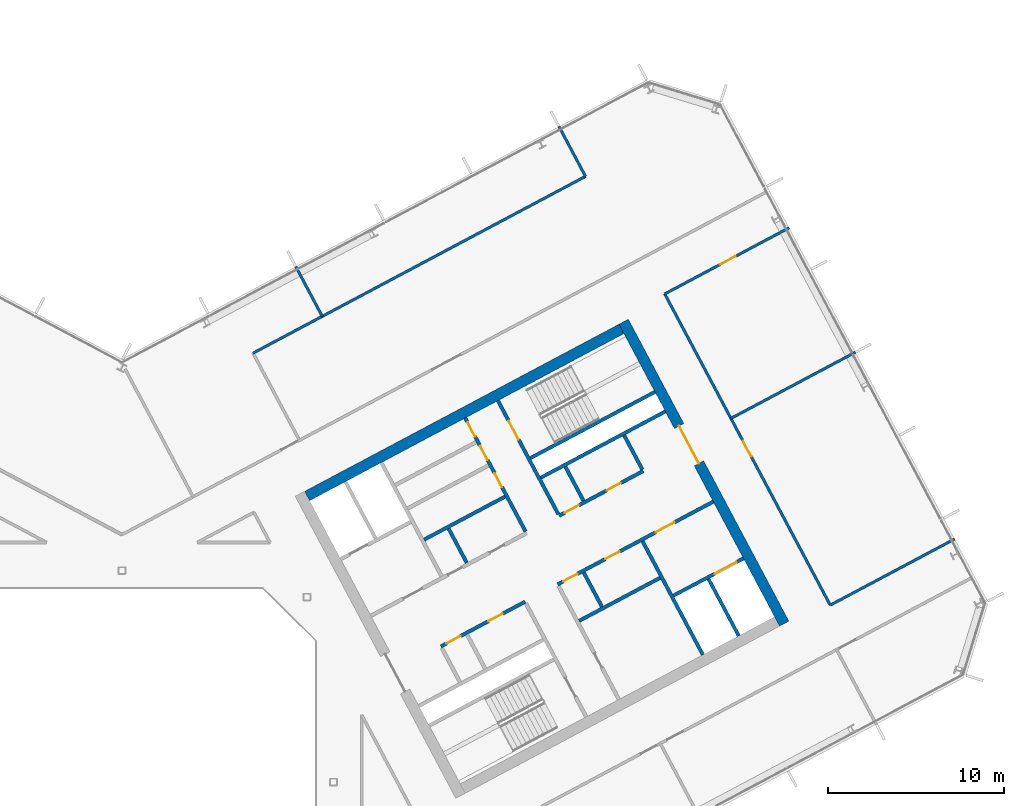
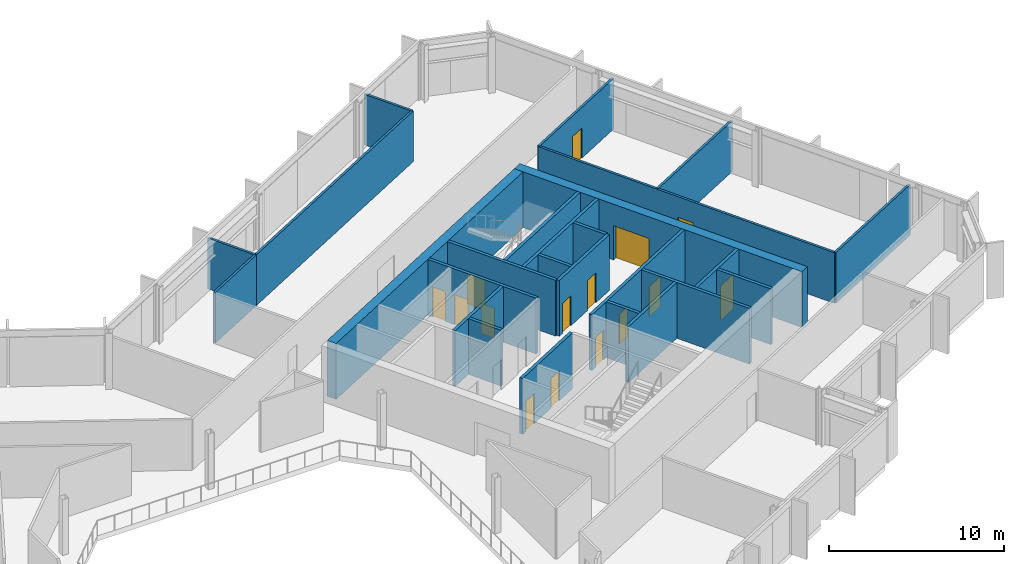
# One storey, part 16 of 26: 26 walls, 15 doors, 15 openings.
"""IFC4 building model written with IfcOpenShell, lengths in metres."""

from ifc_helpers import new_model, si_unit, direction, frame, frame_2d, origin, place, context, subcontext, project, spatial, rectangle, extrude, material, layer, layer_set, type_object, element, fill, save


model = new_model("IFC4")

# Units and contexts
model_context = context("Model", 3, precision=1e-05, world=origin(), true_north=direction((0.0, 1.0)))
body_context = subcontext(model_context, "Body", "Model", "MODEL_VIEW")
ifc_project = project(units=[si_unit("LENGTHUNIT", "METRE"), si_unit("AREAUNIT", "SQUARE_METRE"), si_unit("VOLUMEUNIT", "CUBIC_METRE"), si_unit("PLANEANGLEUNIT", "RADIAN"), si_unit("MASSUNIT", "GRAM", prefix="KILO")], contexts=[model_context])

# Site, building, storey
site_placement = place(None, origin())
site = spatial("IfcSite", under=ifc_project, at=site_placement, CompositionType="ELEMENT")
building_placement = place(site_placement, origin())
building = spatial("IfcBuilding", under=site, at=building_placement, Name="Cormorant Relay Tower", CompositionType="ELEMENT")
storey_placement = place(building_placement, frame((0.0, 0.0, 244.199951171875)))
storey = spatial("IfcBuildingStorey", under=building, at=storey_placement, Name="L54", CompositionType="ELEMENT", Elevation=244.199951171875)

# Walls
ifc_material_1 = material(Name="Concrete 40 MPa", Category="concrete")
ifc_layer_1 = layer(ifc_material_1, 0.199951171875)
ifc_layer_set_1 = layer_set([ifc_layer_1], Name="Core internal wall 200")
wall_type_1 = type_object("IfcWallType", Name="Core internal wall 200", PredefinedType="SOLIDWALL", material=ifc_layer_set_1)
for number, where, z_axis, x_axis, name in (
    (1, (19.568603515625, 12.443603515625, 0.0), (0.0, 0.0, 1.0), (-0.4694473164, 0.882960484464, 0.0), "L54 core B shaft and room wall"),
    (2, (27.236083984375, 9.951416015625, 0.0), (0.0, 0.0, 1.0), (-0.4694473164, 0.882960484464, 0.0), "L54 core B shaft and room wall"),
    (3, (26.19091796875, 15.964599609375, 0.0), (0.0, 0.0, 1.0), (-0.469533832133, 0.882914480843, 0.0), "L54 core B shaft and room wall"),
):
    element("IfcWall", number, at=place(storey_placement, frame(where, z_axis=z_axis, x_axis=x_axis)), inside=storey, type_object=wall_type_1, Name=name, PredefinedType="SOLIDWALL", context=body_context, shape_type="SweptSolid", body=[
        extrude(rectangle(XDim=2.199951171875, YDim=0.199951171875, at=frame_2d((1.10009765625, 0.0))), origin(), (0.0, 0.0, 1.0), 3.900146484375),
    ])

# Wall, openings, doors
ifc_material_2 = material(Name="Concrete 50 MPa", Category="concrete")
ifc_layer_2 = layer(ifc_material_2, 0.199951171875)
ifc_layer_set_2 = layer_set([ifc_layer_2], Name="Core shaft wall 200")
wall_type_2 = type_object("IfcWallType", Name="Core shaft wall 200", PredefinedType="SHEAR", material=ifc_layer_set_2)
wall_1_placement = place(storey_placement, frame((22.90625, 14.218017578125, 0.0), z_axis=(0.0, 0.0, 1.0), x_axis=(-0.469480409012, 0.88294288918, 0.0)))
wall_1 = element("IfcWall", 4, at=wall_1_placement, inside=storey, type_object=wall_type_2, Name="L54 core B shaft wall", PredefinedType="SHEAR", context=body_context, shape_type="SweptSolid", body=[
    extrude(rectangle(XDim=7.300048828125, YDim=0.199951171875, at=frame_2d((3.64990234375, 0.0))), origin(), (0.0, 0.0, 1.0), 3.900146484375),
])
opening_1_placement = place(wall_1_placement, frame((2.85009765625, 0.0, 0.0)))
opening_1 = element("IfcOpeningElement", 5, at=opening_1_placement, cuts=wall_1, Name="Opening CDD-299", PredefinedType="OPENING", context=body_context, shape_type="SweptSolid", body=[
    extrude(rectangle(XDim=0.89990234375, YDim=2.10009765625, at=frame_2d((0.449951171875, 1.050048828125))), frame((0.0, 0.10986328125, 0.0), z_axis=(0.0, -1.0, 0.0), x_axis=(1.0, 0.0, 0.0)), (0.0, 0.0, 1.0), 0.219970703125),
])
opening_2_placement = place(wall_1_placement, frame((4.60009765625, 0.0, 0.0)))
opening_2 = element("IfcOpeningElement", 6, at=opening_2_placement, cuts=wall_1, Name="Opening CDD-300", PredefinedType="OPENING", context=body_context, shape_type="SweptSolid", body=[
    extrude(rectangle(XDim=0.89990234375, YDim=2.10009765625, at=frame_2d((0.449951171875, 1.050048828125))), frame((0.0, 0.10986328125, 0.0), z_axis=(0.0, -1.0, 0.0), x_axis=(1.0, 0.0, 0.0)), (0.0, 0.0, 1.0), 0.219970703125),
])
opening_3_placement = place(wall_1_placement, frame((6.10009765625, 0.0, 0.0)))
opening_3 = element("IfcOpeningElement", 7, at=opening_3_placement, cuts=wall_1, Name="Opening CDD-301", PredefinedType="OPENING", context=body_context, shape_type="SweptSolid", body=[
    extrude(rectangle(XDim=0.89990234375, YDim=2.10009765625, at=frame_2d((0.449951171875, 1.050048828125))), frame((0.0, 0.10986328125, 0.0), z_axis=(0.0, -1.0, 0.0), x_axis=(1.0, 0.0, 0.0)), (0.0, 0.0, 1.0), 0.219970703125),
])
ifc_material_3 = material(Name="Steel fire door", Category="steel")
door_type_1 = type_object("IfcDoorType", Name="Core room door 900x2100", OperationType="SINGLE_SWING_LEFT", PredefinedType="DOOR", material=ifc_material_3)
door_1_placement = place(opening_1_placement, origin())
door_1 = element("IfcDoor", 8, at=door_1_placement, inside=storey, type_object=door_type_1, Name="Core room door 900x2100", OperationType="SINGLE_SWING_RIGHT", OverallHeight=2.10009765625, OverallWidth=0.89990234375, PredefinedType="DOOR", context=body_context, shape_type="SweptSolid", body=[
    extrude(rectangle(XDim=0.89990234375, YDim=2.10009765625, at=frame_2d((0.449951171875, 1.050048828125))), frame((0.0, 0.02490234375, 0.0), z_axis=(0.0, -1.0, 0.0), x_axis=(1.0, 0.0, 0.0)), (0.0, 0.0, 1.0), 0.050048828125),
])
fill(opening_1, door_1)
door_2_placement = place(opening_2_placement, origin())
door_2 = element("IfcDoor", 9, at=door_2_placement, inside=storey, type_object=door_type_1, Name="Core room door 900x2100", OperationType="SINGLE_SWING_LEFT", OverallHeight=2.10009765625, OverallWidth=0.89990234375, PredefinedType="DOOR", context=body_context, shape_type="SweptSolid", body=[
    extrude(rectangle(XDim=0.89990234375, YDim=2.10009765625, at=frame_2d((0.449951171875, 1.050048828125))), frame((0.0, 0.02490234375, 0.0), z_axis=(0.0, -1.0, 0.0), x_axis=(1.0, 0.0, 0.0)), (0.0, 0.0, 1.0), 0.050048828125),
])
fill(opening_2, door_2)
door_3_placement = place(opening_3_placement, origin())
door_3 = element("IfcDoor", 10, at=door_3_placement, inside=storey, type_object=door_type_1, Name="Core room door 900x2100", OperationType="SINGLE_SWING_LEFT", OverallHeight=2.10009765625, OverallWidth=0.89990234375, PredefinedType="DOOR", context=body_context, shape_type="SweptSolid", body=[
    extrude(rectangle(XDim=0.89990234375, YDim=2.10009765625, at=frame_2d((0.449951171875, 1.050048828125))), frame((0.0, 0.02490234375, 0.0), z_axis=(0.0, -1.0, 0.0), x_axis=(1.0, 0.0, 0.0)), (0.0, 0.0, 1.0), 0.050048828125),
])
fill(opening_3, door_3)

# Wall, opening, door
wall_2_placement = place(storey_placement, frame((24.760498046875, 15.2041015625, 0.0), z_axis=(0.0, 0.0, 1.0), x_axis=(-0.469494272526, 0.882935517501, 0.0)))
wall_2 = element("IfcWall", 11, at=wall_2_placement, inside=storey, type_object=wall_type_2, Name="L54 core B shaft wall", PredefinedType="SHEAR", context=body_context, shape_type="SweptSolid", body=[
    extrude(rectangle(XDim=7.2998046875, YDim=0.199951171875, at=frame_2d((3.64990234375, 0.0))), origin(), (0.0, 0.0, 1.0), 3.900146484375),
])
opening_4_placement = place(wall_2_placement, frame((4.800048828125, 0.0, 0.0)))
opening_4 = element("IfcOpeningElement", 12, at=opening_4_placement, cuts=wall_2, Name="Opening CDB-041", PredefinedType="OPENING", context=body_context, shape_type="SweptSolid", body=[
    extrude(rectangle(XDim=1.199951171875, YDim=2.10009765625, at=frame_2d((0.60009765625, 1.050048828125))), frame((0.0, 0.10986328125, 0.0), z_axis=(0.0, -1.0, 0.0), x_axis=(1.0, 0.0, 0.0)), (0.0, 0.0, 1.0), 0.219970703125),
])
ifc_material_4 = material(Name="Steel fire door", Category="steel")
door_type_2 = type_object("IfcDoorType", Name="Core stair door 1200x2100", OperationType="SINGLE_SWING_LEFT", PredefinedType="DOOR", material=ifc_material_4)
door_4_placement = place(opening_4_placement, frame((1.199951171875, 0.0, 0.0), z_axis=(0.0, 0.0, 1.0), x_axis=(-1.0, 0.0, 0.0)))
door_4 = element("IfcDoor", 13, at=door_4_placement, inside=storey, type_object=door_type_2, Name="Core stair door 1200x2100", OperationType="SINGLE_SWING_RIGHT", OverallHeight=2.10009765625, OverallWidth=1.199951171875, PredefinedType="DOOR", context=body_context, shape_type="SweptSolid", body=[
    extrude(rectangle(XDim=1.199951171875, YDim=2.10009765625, at=frame_2d((0.60009765625, 1.050048828125))), frame((0.0, 0.02490234375, 0.0), z_axis=(0.0, -1.0, 0.0), x_axis=(1.0, 0.0, 0.0)), (0.0, 0.0, 1.0), 0.050048828125),
])
fill(opening_4, door_4)

# Walls
wall_3_placement = place(storey_placement, frame((32.968017578125, 7.222900390625, 0.0), z_axis=(0.0, 0.0, 1.0), x_axis=(-0.469480409012, 0.88294288918, 0.0)))
element("IfcWall", 14, at=wall_3_placement, inside=storey, type_object=wall_type_2, Name="L54 core B shaft wall", PredefinedType="SHEAR", context=body_context, shape_type="SweptSolid", body=[
    extrude(rectangle(XDim=7.300048828125, YDim=0.199951171875, at=frame_2d((3.64990234375, 0.0))), origin(), (0.0, 0.0, 1.0), 3.900146484375),
])
wall_4_placement = place(storey_placement, frame((29.5283203125, 17.739013671875, 0.0), z_axis=(0.0, 0.0, 1.0), x_axis=(-0.469401318492, 0.882984938828, 0.0)))
element("IfcWall", 15, at=wall_4_placement, inside=storey, type_object=wall_type_2, Name="L54 core B shaft wall", PredefinedType="SHEAR", context=body_context, shape_type="SweptSolid", body=[
    extrude(rectangle(XDim=2.199951171875, YDim=0.199951171875, at=frame_2d((1.10009765625, 0.0))), origin(), (0.0, 0.0, 1.0), 3.900146484375),
])
wall_5_placement = place(storey_placement, frame((34.998779296875, 8.302734375, 0.0), z_axis=(0.0, 0.0, 1.0), x_axis=(-0.4694665462, 0.882950260207, 0.0)))
element("IfcWall", 16, at=wall_5_placement, inside=storey, type_object=wall_type_2, Name="L54 core B shaft wall", PredefinedType="SHEAR", context=body_context, shape_type="SweptSolid", body=[
    extrude(rectangle(XDim=3.650146484375, YDim=0.199951171875, at=frame_2d((1.8251953125, 0.0))), origin(), (0.0, 0.0, 1.0), 3.900146484375),
])

# Wall, opening, door
wall_6_placement = place(storey_placement, frame((31.295654296875, 10.5810546875, 0.0), z_axis=(0.0, 0.0, 1.0), x_axis=(0.882960433586, 0.469447412093, 0.0)))
wall_6 = element("IfcWall", 17, at=wall_6_placement, inside=storey, type_object=wall_type_2, Name="L54 core B shaft wall", PredefinedType="SHEAR", context=body_context, shape_type="SweptSolid", body=[
    extrude(rectangle(XDim=4.5, YDim=0.199951171875, at=frame_2d((2.25, 0.0))), origin(), (0.0, 0.0, 1.0), 3.900146484375),
])
opening_5_placement = place(wall_6_placement, frame((2.64990234375, 0.0, 0.0)))
opening_5 = element("IfcOpeningElement", 18, at=opening_5_placement, cuts=wall_6, Name="Opening LD3-016", PredefinedType="OPENING", context=body_context, shape_type="SweptSolid", body=[
    extrude(rectangle(XDim=1.39990234375, YDim=2.39990234375, at=frame_2d((0.699951171875, 1.199951171875))), frame((0.0, 0.10986328125, 0.0), z_axis=(0.0, -1.0, 0.0), x_axis=(1.0, 0.0, 0.0)), (0.0, 0.0, 1.0), 0.219970703125),
])
ifc_material_5 = material(Name="Stainless steel 316", Category="steel")
door_type_3 = type_object("IfcDoorType", Name="Lift landing door 1400x2400", OperationType="DOUBLE_DOOR_SLIDING", PredefinedType="DOOR", material=ifc_material_5)
door_5_placement = place(opening_5_placement, origin())
door_5 = element("IfcDoor", 19, at=door_5_placement, inside=storey, type_object=door_type_3, Name="SV2 landing door", OperationType="DOUBLE_DOOR_SLIDING", OverallHeight=2.39990234375, OverallWidth=1.39990234375, PredefinedType="DOOR", context=body_context, shape_type="SweptSolid", body=[
    extrude(rectangle(XDim=1.39990234375, YDim=2.39990234375, at=frame_2d((0.699951171875, 1.199951171875))), frame((0.0, 0.02490234375, 0.0), z_axis=(0.0, -1.0, 0.0), x_axis=(1.0, 0.0, 0.0)), (0.0, 0.0, 1.0), 0.050048828125),
])
fill(opening_5, door_5)

# Wall
wall_7_placement = place(storey_placement, frame((25.94091796875, 9.149658203125, 0.0), z_axis=(0.0, 0.0, 1.0), x_axis=(0.882953967957, 0.469459572775, 0.0)))
element("IfcWall", 20, at=wall_7_placement, inside=storey, type_object=wall_type_2, Name="L54 core B shaft wall", PredefinedType="SHEAR", context=body_context, shape_type="SweptSolid", body=[
    extrude(rectangle(XDim=5.199951171875, YDim=0.199951171875, at=frame_2d((2.60009765625, 0.0))), origin(), (0.0, 0.0, 1.0), 3.900146484375),
])

# Wall, openings, doors
wall_8_placement = place(storey_placement, frame((18.103759765625, 7.70068359375, 0.0), z_axis=(0.0, 0.0, 1.0), x_axis=(0.882952937579, 0.469461510692, 0.0)))
wall_8 = element("IfcWall", 21, at=wall_8_placement, inside=storey, type_object=wall_type_2, Name="L54 core B shaft wall", PredefinedType="SHEAR", context=body_context, shape_type="SweptSolid", body=[
    extrude(rectangle(XDim=5.400146484375, YDim=0.199951171875, at=frame_2d((2.7001953125, 0.0))), origin(), (0.0, 0.0, 1.0), 3.900146484375),
])
opening_6_placement = place(wall_8_placement, frame((0.360107421875, 0.0, 0.0)))
opening_6 = element("IfcOpeningElement", 22, at=opening_6_placement, cuts=wall_8, Name="Opening CDD-295", PredefinedType="OPENING", context=body_context, shape_type="SweptSolid", body=[
    extrude(rectangle(XDim=0.89990234375, YDim=2.10009765625, at=frame_2d((0.449951171875, 1.050048828125))), frame((0.0, 0.10986328125, 0.0), z_axis=(0.0, -1.0, 0.0), x_axis=(1.0, 0.0, 0.0)), (0.0, 0.0, 1.0), 0.219970703125),
])
opening_7_placement = place(wall_8_placement, frame((3.06005859375, 0.0, 0.0)))
opening_7 = element("IfcOpeningElement", 23, at=opening_7_placement, cuts=wall_8, Name="Opening CDD-296", PredefinedType="OPENING", context=body_context, shape_type="SweptSolid", body=[
    extrude(rectangle(XDim=0.89990234375, YDim=2.10009765625, at=frame_2d((0.449951171875, 1.050048828125))), frame((0.0, 0.10986328125, 0.0), z_axis=(0.0, -1.0, 0.0), x_axis=(1.0, 0.0, 0.0)), (0.0, 0.0, 1.0), 0.219970703125),
])
door_6_placement = place(opening_6_placement, origin())
door_6 = element("IfcDoor", 24, at=door_6_placement, inside=storey, type_object=door_type_1, Name="Core room door 900x2100", OperationType="SINGLE_SWING_LEFT", OverallHeight=2.10009765625, OverallWidth=0.89990234375, PredefinedType="DOOR", context=body_context, shape_type="SweptSolid", body=[
    extrude(rectangle(XDim=0.89990234375, YDim=2.10009765625, at=frame_2d((0.449951171875, 1.050048828125))), frame((0.0, 0.02490234375, 0.0), z_axis=(0.0, -1.0, 0.0), x_axis=(1.0, 0.0, 0.0)), (0.0, 0.0, 1.0), 0.050048828125),
])
fill(opening_6, door_6)
door_7_placement = place(opening_7_placement, origin())
door_7 = element("IfcDoor", 25, at=door_7_placement, inside=storey, type_object=door_type_1, Name="Core room door 900x2100", OperationType="SINGLE_SWING_LEFT", OverallHeight=2.10009765625, OverallWidth=0.89990234375, PredefinedType="DOOR", context=body_context, shape_type="SweptSolid", body=[
    extrude(rectangle(XDim=0.89990234375, YDim=2.10009765625, at=frame_2d((0.449951171875, 1.050048828125))), frame((0.0, 0.02490234375, 0.0), z_axis=(0.0, -1.0, 0.0), x_axis=(1.0, 0.0, 0.0)), (0.0, 0.0, 1.0), 0.050048828125),
])
fill(opening_7, door_7)

wall_9_placement = place(storey_placement, frame((24.72607421875, 11.2216796875, 0.0), z_axis=(0.0, 0.0, 1.0), x_axis=(0.882940221191, 0.469485426614, 0.0)))
wall_9 = element("IfcWall", 26, at=wall_9_placement, inside=storey, type_object=wall_type_2, Name="L54 core B shaft wall", PredefinedType="SHEAR", context=body_context, shape_type="SweptSolid", body=[
    extrude(rectangle(XDim=10.0, YDim=0.199951171875, at=frame_2d((5.0, 0.0))), origin(), (0.0, 0.0, 1.0), 3.900146484375),
])
opening_8_placement = place(wall_9_placement, frame((6.300048828125, 0.0, 0.0)))
opening_8 = element("IfcOpeningElement", 27, at=opening_8_placement, cuts=wall_9, Name="Opening CDC-038", PredefinedType="OPENING", context=body_context, shape_type="SweptSolid", body=[
    extrude(rectangle(XDim=1.199951171875, YDim=2.10009765625, at=frame_2d((0.60009765625, 1.050048828125))), frame((0.0, 0.10986328125, 0.0), z_axis=(0.0, -1.0, 0.0), x_axis=(1.0, 0.0, 0.0)), (0.0, 0.0, 1.0), 0.219970703125),
])
opening_9_placement = place(wall_9_placement, frame((0.360107421875, 0.0, 0.0)))
opening_9 = element("IfcOpeningElement", 28, at=opening_9_placement, cuts=wall_9, Name="Opening CDD-297", PredefinedType="OPENING", context=body_context, shape_type="SweptSolid", body=[
    extrude(rectangle(XDim=0.89990234375, YDim=2.10009765625, at=frame_2d((0.449951171875, 1.050048828125))), frame((0.0, 0.10986328125, 0.0), z_axis=(0.0, -1.0, 0.0), x_axis=(1.0, 0.0, 0.0)), (0.0, 0.0, 1.0), 0.219970703125),
])
opening_10_placement = place(wall_9_placement, frame((3.06005859375, 0.0, 0.0)))
opening_10 = element("IfcOpeningElement", 29, at=opening_10_placement, cuts=wall_9, Name="Opening CDD-298", PredefinedType="OPENING", context=body_context, shape_type="SweptSolid", body=[
    extrude(rectangle(XDim=0.89990234375, YDim=2.10009765625, at=frame_2d((0.449951171875, 1.050048828125))), frame((0.0, 0.10986328125, 0.0), z_axis=(0.0, -1.0, 0.0), x_axis=(1.0, 0.0, 0.0)), (0.0, 0.0, 1.0), 0.219970703125),
])
ifc_material_6 = material(Name="Steel fire door", Category="steel")
door_type_4 = type_object("IfcDoorType", Name="Core lobby door 1200x2100", OperationType="SINGLE_SWING_LEFT", PredefinedType="DOOR", material=ifc_material_6)
door_8_placement = place(opening_8_placement, origin())
door_8 = element("IfcDoor", 30, at=door_8_placement, inside=storey, type_object=door_type_4, Name="Core lobby door 1200x2100", OperationType="SINGLE_SWING_LEFT", OverallHeight=2.10009765625, OverallWidth=1.199951171875, PredefinedType="DOOR", context=body_context, shape_type="SweptSolid", body=[
    extrude(rectangle(XDim=1.199951171875, YDim=2.10009765625, at=frame_2d((0.60009765625, 1.050048828125))), frame((0.0, 0.02490234375, 0.0), z_axis=(0.0, -1.0, 0.0), x_axis=(1.0, 0.0, 0.0)), (0.0, 0.0, 1.0), 0.050048828125),
])
fill(opening_8, door_8)
door_9_placement = place(opening_9_placement, origin())
door_9 = element("IfcDoor", 31, at=door_9_placement, inside=storey, type_object=door_type_1, Name="Core room door 900x2100", OperationType="SINGLE_SWING_LEFT", OverallHeight=2.10009765625, OverallWidth=0.89990234375, PredefinedType="DOOR", context=body_context, shape_type="SweptSolid", body=[
    extrude(rectangle(XDim=0.89990234375, YDim=2.10009765625, at=frame_2d((0.449951171875, 1.050048828125))), frame((0.0, 0.02490234375, 0.0), z_axis=(0.0, -1.0, 0.0), x_axis=(1.0, 0.0, 0.0)), (0.0, 0.0, 1.0), 0.050048828125),
])
fill(opening_9, door_9)
door_10_placement = place(opening_10_placement, origin())
door_10 = element("IfcDoor", 32, at=door_10_placement, inside=storey, type_object=door_type_1, Name="Core room door 900x2100", OperationType="SINGLE_SWING_LEFT", OverallHeight=2.10009765625, OverallWidth=0.89990234375, PredefinedType="DOOR", context=body_context, shape_type="SweptSolid", body=[
    extrude(rectangle(XDim=0.89990234375, YDim=2.10009765625, at=frame_2d((0.449951171875, 1.050048828125))), frame((0.0, 0.02490234375, 0.0), z_axis=(0.0, -1.0, 0.0), x_axis=(1.0, 0.0, 0.0)), (0.0, 0.0, 1.0), 0.050048828125),
])
fill(opening_10, door_10)

wall_10_placement = place(storey_placement, frame((24.807373046875, 15.11572265625, 0.0), z_axis=(0.0, 0.0, 1.0), x_axis=(0.882942972946, 0.469480251476, 0.0)))
wall_10 = element("IfcWall", 33, at=wall_10_placement, inside=storey, type_object=wall_type_2, Name="L54 core B shaft wall", PredefinedType="SHEAR", context=body_context, shape_type="SweptSolid", body=[
    extrude(rectangle(XDim=5.39990234375, YDim=0.199951171875, at=frame_2d((2.699951171875, 0.0))), origin(), (0.0, 0.0, 1.0), 3.900146484375),
])
opening_11_placement = place(wall_10_placement, frame((0.360107421875, 0.0, 0.0)))
opening_11 = element("IfcOpeningElement", 34, at=opening_11_placement, cuts=wall_10, Name="Opening CDD-243", PredefinedType="OPENING", context=body_context, shape_type="SweptSolid", body=[
    extrude(rectangle(XDim=0.89990234375, YDim=2.10009765625, at=frame_2d((0.449951171875, 1.050048828125))), frame((0.0, 0.10986328125, 0.0), z_axis=(0.0, -1.0, 0.0), x_axis=(1.0, 0.0, 0.0)), (0.0, 0.0, 1.0), 0.219970703125),
])
opening_12_placement = place(wall_10_placement, frame((3.06005859375, 0.0, 0.0)))
opening_12 = element("IfcOpeningElement", 35, at=opening_12_placement, cuts=wall_10, Name="Opening CDD-294", PredefinedType="OPENING", context=body_context, shape_type="SweptSolid", body=[
    extrude(rectangle(XDim=0.89990234375, YDim=2.10009765625, at=frame_2d((0.449951171875, 1.050048828125))), frame((0.0, 0.10986328125, 0.0), z_axis=(0.0, -1.0, 0.0), x_axis=(1.0, 0.0, 0.0)), (0.0, 0.0, 1.0), 0.219970703125),
])
door_11_placement = place(opening_11_placement, origin())
door_11 = element("IfcDoor", 36, at=door_11_placement, inside=storey, type_object=door_type_1, Name="Core room door 900x2100", OperationType="SINGLE_SWING_LEFT", OverallHeight=2.10009765625, OverallWidth=0.89990234375, PredefinedType="DOOR", context=body_context, shape_type="SweptSolid", body=[
    extrude(rectangle(XDim=0.89990234375, YDim=2.10009765625, at=frame_2d((0.449951171875, 1.050048828125))), frame((0.0, 0.02490234375, 0.0), z_axis=(0.0, -1.0, 0.0), x_axis=(1.0, 0.0, 0.0)), (0.0, 0.0, 1.0), 0.050048828125),
])
fill(opening_11, door_11)
door_12_placement = place(opening_12_placement, origin())
door_12 = element("IfcDoor", 37, at=door_12_placement, inside=storey, type_object=door_type_1, Name="Core room door 900x2100", OperationType="SINGLE_SWING_LEFT", OverallHeight=2.10009765625, OverallWidth=0.89990234375, PredefinedType="DOOR", context=body_context, shape_type="SweptSolid", body=[
    extrude(rectangle(XDim=0.89990234375, YDim=2.10009765625, at=frame_2d((0.449951171875, 1.050048828125))), frame((0.0, 0.02490234375, 0.0), z_axis=(0.0, -1.0, 0.0), x_axis=(1.0, 0.0, 0.0)), (0.0, 0.0, 1.0), 0.050048828125),
])
fill(opening_12, door_12)

# Walls
wall_11_placement = place(storey_placement, frame((17.146728515625, 13.7607421875, 0.0), z_axis=(0.0, 0.0, 1.0), x_axis=(0.882964314875, 0.469440111896, 0.0)))
element("IfcWall", 38, at=wall_11_placement, inside=storey, type_object=wall_type_2, Name="L54 core B shaft wall", PredefinedType="SHEAR", context=body_context, shape_type="SweptSolid", body=[
    extrude(rectangle(XDim=5.2001953125, YDim=0.199951171875, at=frame_2d((2.60009765625, 0.0))), origin(), (0.0, 0.0, 1.0), 3.900146484375),
])
wall_12_placement = place(storey_placement, frame((23.76904296875, 17.28173828125, 0.0), z_axis=(0.0, 0.0, 1.0), x_axis=(0.882940221191, 0.469485426614, 0.0)))
element("IfcWall", 39, at=wall_12_placement, inside=storey, type_object=wall_type_2, Name="L54 core B shaft wall", PredefinedType="SHEAR", context=body_context, shape_type="SweptSolid", body=[
    extrude(rectangle(XDim=8.0, YDim=0.199951171875, at=frame_2d((4.0, 0.0))), origin(), (0.0, 0.0, 1.0), 3.900146484375),
])
wall_13_placement = place(storey_placement, frame((23.18212890625, 18.385498046875, 0.0), z_axis=(0.0, 0.0, 1.0), x_axis=(0.88295287151, 0.469461634952, 0.0)))
element("IfcWall", 40, at=wall_13_placement, inside=storey, type_object=wall_type_2, Name="L54 core B shaft wall", PredefinedType="SHEAR", context=body_context, shape_type="SweptSolid", body=[
    extrude(rectangle(XDim=7.999755859375, YDim=0.199951171875, at=frame_2d((4.0, 0.0))), origin(), (0.0, 0.0, 1.0), 3.900146484375),
])

# Wall, opening, door
ifc_material_7 = material(Name="Concrete 50 MPa", Category="concrete")
ifc_layer_3 = layer(ifc_material_7, 0.60009765625)
ifc_layer_set_3 = layer_set([ifc_layer_3], Name="Core wall 600")
wall_type_3 = type_object("IfcWallType", Name="Core wall 600", PredefinedType="SHEAR", material=ifc_layer_set_3)
wall_14_placement = place(storey_placement, frame((37.576171875, 8.99365234375, 0.0), z_axis=(0.0, 0.0, 1.0), x_axis=(-0.469478769487, 0.88294376095, 0.0)))
wall_14 = element("IfcWall", 41, at=wall_14_placement, inside=storey, type_object=wall_type_3, Name="L54 core B wall", PredefinedType="SHEAR", context=body_context, shape_type="SweptSolid", body=[
    extrude(rectangle(XDim=19.400146484375, YDim=0.60009765625, at=frame_2d((9.7001953125, 0.0))), origin(), (0.0, 0.0, 1.0), 3.900146484375),
])
opening_13_placement = place(wall_14_placement, frame((10.300048828125, 0.0, 0.0)))
opening_13 = element("IfcOpeningElement", 42, at=opening_13_placement, cuts=wall_14, Name="Opening CDA-043", PredefinedType="OPENING", context=body_context, shape_type="SweptSolid", body=[
    extrude(rectangle(XDim=2.39990234375, YDim=2.39990234375, at=frame_2d((1.199951171875, 1.199951171875))), frame((0.0, 0.31005859375, 0.0), z_axis=(0.0, -1.0, 0.0), x_axis=(1.0, 0.0, 0.0)), (0.0, 0.0, 1.0), 0.6201171875),
])
ifc_material_8 = material(Name="Steel fire door", Category="steel")
door_type_5 = type_object("IfcDoorType", Name="Core lobby door 2400x2400", OperationType="DOUBLE_DOOR_SINGLE_SWING", PredefinedType="DOOR", material=ifc_material_8)
door_13_placement = place(opening_13_placement, origin())
door_13 = element("IfcDoor", 43, at=door_13_placement, inside=storey, type_object=door_type_5, Name="Core lobby door 2400x2400", OperationType="DOUBLE_DOOR_SINGLE_SWING", OverallHeight=2.39990234375, OverallWidth=2.39990234375, PredefinedType="DOOR", context=body_context, shape_type="SweptSolid", body=[
    extrude(rectangle(XDim=2.39990234375, YDim=2.39990234375, at=frame_2d((1.199951171875, 1.199951171875))), frame((0.0, 0.02490234375, 0.0), z_axis=(0.0, -1.0, 0.0), x_axis=(1.0, 0.0, 0.0)), (0.0, 0.0, 1.0), 0.050048828125),
])
fill(opening_13, door_13)

# Wall
wall_15_placement = place(storey_placement, frame((10.5087890625, 16.23388671875, 0.0), z_axis=(0.0, 0.0, 1.0), x_axis=(0.88295010195, 0.469466843842, 0.0)))
element("IfcWall", 44, at=wall_15_placement, inside=storey, type_object=wall_type_3, Name="L54 core B wall", PredefinedType="SHEAR", context=body_context, shape_type="SweptSolid", body=[
    extrude(rectangle(XDim=20.199951171875, YDim=0.60009765625, at=frame_2d((10.10009765625, 0.0))), origin(), (0.0, 0.0, 1.0), 3.900146484375),
])

# Wall, opening, door
ifc_material_9 = material(Name="Gypsum board fire partition")
ifc_layer_4 = layer(ifc_material_9, 0.14990234375)
ifc_layer_set_4 = layer_set([ifc_layer_4], Name="Corridor partition 150 EI 60")
wall_type_4 = type_object("IfcWallType", Name="Corridor partition 150 EI 60", PredefinedType="PARTITIONING", material=ifc_layer_set_4)
wall_16_placement = place(storey_placement, frame((37.863037109375, 31.4580078125, 0.0), z_axis=(0.0, 0.0, 1.0), x_axis=(-0.882914115089, -0.469534519898, 0.0)))
wall_16 = element("IfcWall", 45, at=wall_16_placement, inside=storey, type_object=wall_type_4, Name="wall/L54/part/041", PredefinedType="PARTITIONING", context=body_context, shape_type="SweptSolid", body=[
    extrude(rectangle(XDim=7.99951171875, YDim=0.14990234375, at=frame_2d((3.999755859375, 0.0))), origin(), (0.0, 0.0, 1.0), 3.5400390625),
])
opening_14_placement = place(wall_16_placement, frame((3.450927734375, 0.0, 0.0)))
opening_14 = element("IfcOpeningElement", 46, at=opening_14_placement, cuts=wall_16, Name="Opening DS-137", PredefinedType="OPENING", context=body_context, shape_type="SweptSolid", body=[
    extrude(rectangle(XDim=1.0, YDim=2.10009765625, at=frame_2d((0.5, 1.050048828125))), frame((0.0, 0.0849609375, 0.0), z_axis=(0.0, -1.0, 0.0), x_axis=(1.0, 0.0, 0.0)), (0.0, 0.0, 1.0), 0.169921875),
])
ifc_material_10 = material(Name="Timber door leaf", Category="wood")
door_type_6 = type_object("IfcDoorType", Name="Suite door 1000x2100", OperationType="SINGLE_SWING_LEFT", PredefinedType="DOOR", material=ifc_material_10)
door_14_placement = place(opening_14_placement, origin())
door_14 = element("IfcDoor", 47, at=door_14_placement, inside=storey, type_object=door_type_6, Name="door/L54/019", OperationType="SINGLE_SWING_RIGHT", OverallHeight=2.10009765625, OverallWidth=1.0, PredefinedType="DOOR", context=body_context, shape_type="SweptSolid", body=[
    extrude(rectangle(XDim=1.0, YDim=2.10009765625, at=frame_2d((0.5, 1.050048828125))), frame((0.0, 0.02490234375, 0.0), z_axis=(0.0, -1.0, 0.0), x_axis=(1.0, 0.0, 0.0)), (0.0, 0.0, 1.0), 0.050048828125),
])
fill(opening_14, door_14)

wall_17_placement = place(storey_placement, frame((30.800048828125, 27.701904296875, 0.0), z_axis=(0.0, 0.0, 1.0), x_axis=(0.469451816494, -0.882958091865, 0.0)))
wall_17 = element("IfcWall", 48, at=wall_17_placement, inside=storey, type_object=wall_type_4, Name="wall/L54/part/042", PredefinedType="PARTITIONING", context=body_context, shape_type="SweptSolid", body=[
    extrude(rectangle(XDim=19.999755859375, YDim=0.14990234375, at=frame_2d((10.0, 0.0))), origin(), (0.0, 0.0, 1.0), 3.5400390625),
])
opening_15_placement = place(wall_17_placement, frame((9.449951171875, 0.0, 0.0)))
opening_15 = element("IfcOpeningElement", 49, at=opening_15_placement, cuts=wall_17, Name="Opening DS-172", PredefinedType="OPENING", context=body_context, shape_type="SweptSolid", body=[
    extrude(rectangle(XDim=1.0, YDim=2.10009765625, at=frame_2d((0.5, 1.050048828125))), frame((0.0, 0.0849609375, 0.0), z_axis=(0.0, -1.0, 0.0), x_axis=(1.0, 0.0, 0.0)), (0.0, 0.0, 1.0), 0.169921875),
])
door_15_placement = place(opening_15_placement, origin())
door_15 = element("IfcDoor", 50, at=door_15_placement, inside=storey, type_object=door_type_6, Name="door/L54/018", OperationType="SINGLE_SWING_LEFT", OverallHeight=2.10009765625, OverallWidth=1.0, PredefinedType="DOOR", context=body_context, shape_type="SweptSolid", body=[
    extrude(rectangle(XDim=1.0, YDim=2.10009765625, at=frame_2d((0.5, 1.050048828125))), frame((0.0, 0.02490234375, 0.0), z_axis=(0.0, -1.0, 0.0), x_axis=(1.0, 0.0, 0.0)), (0.0, 0.0, 1.0), 0.050048828125),
])
fill(opening_15, door_15)

# Walls
wall_18_placement = place(storey_placement, frame((40.18896484375, 10.04296875, 0.0), z_axis=(0.0, 0.0, 1.0), x_axis=(0.882991619958, 0.469388750487, 0.0)))
element("IfcWall", 51, at=wall_18_placement, inside=storey, type_object=wall_type_4, Name="wall/L54/part/043", PredefinedType="PARTITIONING", context=body_context, shape_type="SweptSolid", body=[
    extrude(rectangle(XDim=8.0, YDim=0.14990234375, at=frame_2d((4.0, 0.0))), origin(), (0.0, 0.0, 1.0), 3.5400390625),
])
ifc_material_11 = material(Name="Gypsum board partition")
ifc_layer_5 = layer(ifc_material_11, 0.14990234375)
ifc_layer_set_5 = layer_set([ifc_layer_5], Name="Tenant partition 150")
wall_type_5 = type_object("IfcWallType", Name="Tenant partition 150", PredefinedType="PARTITIONING", material=ifc_layer_set_5)
wall_19_placement = place(storey_placement, frame((11.35498046875, 26.424072265625, 0.0), z_axis=(0.0, 0.0, 1.0), x_axis=(-0.882846627183, -0.469661402366, 0.0)))
element("IfcWall", 52, at=wall_19_placement, inside=storey, type_object=wall_type_5, Name="wall/L54/part/032", PredefinedType="PARTITIONING", context=body_context, shape_type="SweptSolid", body=[
    extrude(rectangle(XDim=4.430908203125, YDim=0.14990234375, at=frame_2d((2.21533203125, 0.0))), origin(), (0.0, 0.0, 1.0), 3.5400390625),
])
wall_20_placement = place(storey_placement, frame((9.864013671875, 29.2548828125, 0.0), z_axis=(0.0, 0.0, 1.0), x_axis=(0.469447181805, -0.882960556025, 0.0)))
element("IfcWall", 53, at=wall_20_placement, inside=storey, type_object=wall_type_5, Name="wall/L54/part/034", PredefinedType="PARTITIONING", context=body_context, shape_type="SweptSolid", body=[
    extrude(rectangle(XDim=3.199462890625, YDim=0.14990234375, at=frame_2d((1.599609375, 0.0))), origin(), (0.0, 0.0, 1.0), 3.5400390625),
])
wall_21_placement = place(storey_placement, frame((11.35498046875, 26.424072265625, 0.0), z_axis=(0.0, 0.0, 1.0), x_axis=(0.882971344108, 0.469426890458, 0.0)))
element("IfcWall", 54, at=wall_21_placement, inside=storey, type_object=wall_type_5, Name="wall/L54/part/035", PredefinedType="PARTITIONING", context=body_context, shape_type="SweptSolid", body=[
    extrude(rectangle(XDim=16.92919921875, YDim=0.14990234375, at=frame_2d((8.464599609375, 0.0))), origin(), (0.0, 0.0, 1.0), 3.5400390625),
])
wall_22_placement = place(storey_placement, frame((26.302978515625, 34.37109375, 0.0), z_axis=(0.0, 0.0, 1.0), x_axis=(-0.46919425931, 0.883094981885, 0.0)))
element("IfcWall", 55, at=wall_22_placement, inside=storey, type_object=wall_type_5, Name="wall/L54/part/036", PredefinedType="PARTITIONING", context=body_context, shape_type="SweptSolid", body=[
    extrude(rectangle(XDim=3.201171875, YDim=0.14990234375, at=frame_2d((1.6005859375, 0.0))), origin(), (0.0, 0.0, 1.0), 3.5400390625),
])
wall_23_placement = place(storey_placement, frame((41.618896484375, 24.39501953125, 0.0), z_axis=(0.0, 0.0, 1.0), x_axis=(-0.882914115089, -0.469534519898, 0.0)))
element("IfcWall", 56, at=wall_23_placement, inside=storey, type_object=wall_type_5, Name="wall/L54/part/044", PredefinedType="PARTITIONING", context=body_context, shape_type="SweptSolid", body=[
    extrude(rectangle(XDim=7.99951171875, YDim=0.14990234375, at=frame_2d((3.999755859375, 0.0))), origin(), (0.0, 0.0, 1.0), 3.5400390625),
])

save(model, "model.ifc")
